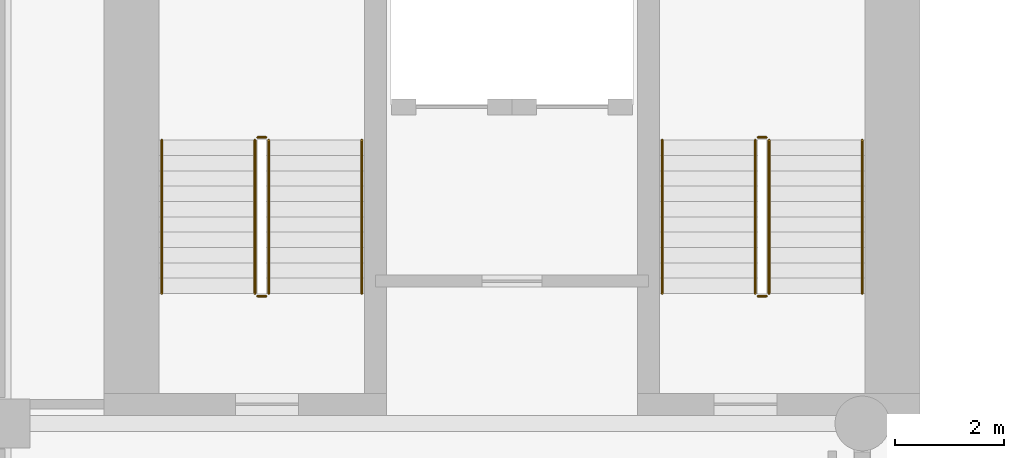
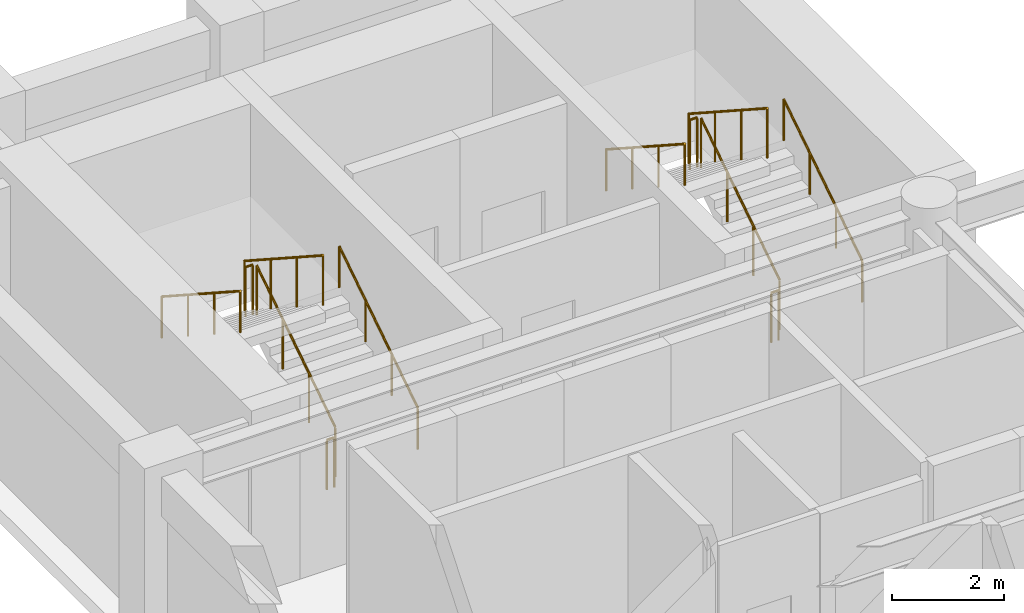
# One storey, part 10 of 12: 12 railings.
"""IFC4 building model written with IfcOpenShell, lengths in metres."""

from ifc_helpers import new_model, si_unit, direction, frame, origin, origin_2d, place, context, subcontext, project, spatial, circle, extrude, material, type_object, element, save


model = new_model("IFC4")

# Units and contexts
model_context = context("Model", 3, precision=1e-05, world=origin(), true_north=direction((0.0, 1.0)))
body_context = subcontext(model_context, "Body", "Model", "MODEL_VIEW")
ifc_project = project(units=[si_unit("LENGTHUNIT", "METRE"), si_unit("AREAUNIT", "SQUARE_METRE"), si_unit("VOLUMEUNIT", "CUBIC_METRE"), si_unit("PLANEANGLEUNIT", "RADIAN"), si_unit("MASSUNIT", "GRAM", prefix="KILO")], contexts=[model_context])

# Site, building, storey
site_placement = place(None, origin())
site = spatial("IfcSite", under=ifc_project, at=site_placement, CompositionType="ELEMENT")
building_placement = place(site_placement, origin())
building = spatial("IfcBuilding", under=site, at=building_placement, Name="Sulina Concourse Tower", CompositionType="ELEMENT")
storey_placement = place(building_placement, frame((0.0, 0.0, 38.60009765625)))
storey = spatial("IfcBuildingStorey", under=building, at=storey_placement, Name="L09", CompositionType="ELEMENT", Elevation=38.60009765625)

# Railings
ifc_material_1 = material(Name="Galvanised steel railing", Category="steel")
railing_type_1 = type_object("IfcRailingType", Name="Core Stair Steel Guardrail 1150mm", PredefinedType="GUARDRAIL", material=ifc_material_1)
railing_1_placement = place(storey_placement, frame((5.554931640625, 36.375, 0.181640625)))
element("IfcRailing", 1, at=railing_1_placement, inside=storey, type_object=railing_type_1, Name="L09 ST-1 stair guard 1", PredefinedType="GUARDRAIL", context=body_context, shape_type="SweptSolid", body=[
    extrude(circle(Radius=0.02392578125, at=origin_2d()), frame((0.0, 0.0, 1.076171875), z_axis=(0.0, 0.838672427954, 0.544636170843), x_axis=(-1.0, 0.0, 0.0)), (0.0, 0.0, 1.0), 3.338623046875),
    extrude(circle(Radius=0.02099609375, at=origin_2d()), origin(), (0.0, 0.0, 1.0), 1.052001953125),
    extrude(circle(Radius=0.02099609375, at=origin_2d()), frame((0.0, 0.933349609375, 0.606201171875)), (0.0, 0.0, 1.0), 1.052001953125),
    extrude(circle(Radius=0.02099609375, at=origin_2d()), frame((0.0, 1.86669921875, 1.212158203125)), (0.0, 0.0, 1.0), 1.052001953125),
    extrude(circle(Radius=0.02099609375, at=origin_2d()), frame((0.0, 2.800048828125, 1.818359375)), (0.0, 0.0, 1.0), 1.052001953125),
])
railing_2_placement = place(storey_placement, frame((5.5048828125, 39.22509765625, 2.0)))
element("IfcRailing", 2, at=railing_2_placement, inside=storey, type_object=railing_type_1, Name="L09 ST-1 stair guard 2", PredefinedType="GUARDRAIL", context=body_context, shape_type="SweptSolid", body=[
    extrude(circle(Radius=0.02392578125, at=origin_2d()), frame((0.0, 0.0, 1.076171875), z_axis=(-1.0, 0.0, 0.0), x_axis=(0.0, -1.0, 0.0)), (0.0, 0.0, 1.0), 0.14990234375),
    extrude(circle(Radius=0.02099609375, at=origin_2d()), origin(), (0.0, 0.0, 1.0), 1.052001953125),
    extrude(circle(Radius=0.02099609375, at=origin_2d()), frame((-0.14990234375, 0.0, 0.0)), (0.0, 0.0, 1.0), 1.052001953125),
])
railing_3_placement = place(storey_placement, frame((5.304931640625, 39.175048828125, 2.181640625)))
element("IfcRailing", 3, at=railing_3_placement, inside=storey, type_object=railing_type_1, Name="L09 ST-1 stair guard 3", PredefinedType="GUARDRAIL", context=body_context, shape_type="SweptSolid", body=[
    extrude(circle(Radius=0.02392578125, at=origin_2d()), frame((0.0, 0.0, 1.076171875), z_axis=(0.0, -0.838672427954, 0.544636170843), x_axis=(1.0, 0.0, 0.0)), (0.0, 0.0, 1.0), 3.338623046875),
    extrude(circle(Radius=0.02099609375, at=origin_2d()), origin(), (0.0, 0.0, 1.0), 1.052001953125),
    extrude(circle(Radius=0.02099609375, at=origin_2d()), frame((0.0, -0.933349609375, 0.606201171875)), (0.0, 0.0, 1.0), 1.052001953125),
    extrude(circle(Radius=0.02099609375, at=origin_2d()), frame((0.0, -1.86669921875, 1.212158203125)), (0.0, 0.0, 1.0), 1.052001953125),
    extrude(circle(Radius=0.02099609375, at=origin_2d()), frame((0.0, -2.800048828125, 1.818359375)), (0.0, 0.0, 1.0), 1.052001953125),
])
railing_4_placement = place(storey_placement, frame((5.5048828125, 36.324951171875, 0.0)))
element("IfcRailing", 4, at=railing_4_placement, inside=storey, type_object=railing_type_1, Name="L09 ST-1 stair guard 4", PredefinedType="GUARDRAIL", context=body_context, shape_type="SweptSolid", body=[
    extrude(circle(Radius=0.02392578125, at=origin_2d()), frame((0.0, 0.0, 1.076171875), z_axis=(-1.0, 0.0, 0.0), x_axis=(0.0, -1.0, 0.0)), (0.0, 0.0, 1.0), 0.14990234375),
    extrude(circle(Radius=0.02099609375, at=origin_2d()), origin(), (0.0, 0.0, 1.0), 1.052001953125),
    extrude(circle(Radius=0.02099609375, at=origin_2d()), frame((-0.14990234375, 0.0, 0.0)), (0.0, 0.0, 1.0), 1.052001953125),
])
railing_5_placement = place(storey_placement, frame((14.695068359375, 36.375, 0.181640625)))
element("IfcRailing", 5, at=railing_5_placement, inside=storey, type_object=railing_type_1, Name="L09 ST-2 stair guard 1", PredefinedType="GUARDRAIL", context=body_context, shape_type="SweptSolid", body=[
    extrude(circle(Radius=0.02392578125, at=origin_2d()), frame((0.0, 0.0, 1.076171875), z_axis=(0.0, 0.838672427954, 0.544636170843), x_axis=(-1.0, 0.0, 0.0)), (0.0, 0.0, 1.0), 3.338623046875),
    extrude(circle(Radius=0.02099609375, at=origin_2d()), origin(), (0.0, 0.0, 1.0), 1.052001953125),
    extrude(circle(Radius=0.02099609375, at=origin_2d()), frame((0.0, 0.933349609375, 0.606201171875)), (0.0, 0.0, 1.0), 1.052001953125),
    extrude(circle(Radius=0.02099609375, at=origin_2d()), frame((0.0, 1.86669921875, 1.212158203125)), (0.0, 0.0, 1.0), 1.052001953125),
    extrude(circle(Radius=0.02099609375, at=origin_2d()), frame((0.0, 2.800048828125, 1.818359375)), (0.0, 0.0, 1.0), 1.052001953125),
])
railing_6_placement = place(storey_placement, frame((14.64501953125, 39.22509765625, 2.0)))
element("IfcRailing", 6, at=railing_6_placement, inside=storey, type_object=railing_type_1, Name="L09 ST-2 stair guard 2", PredefinedType="GUARDRAIL", context=body_context, shape_type="SweptSolid", body=[
    extrude(circle(Radius=0.02392578125, at=origin_2d()), frame((0.0, 0.0, 1.076171875), z_axis=(-1.0, 0.0, 0.0), x_axis=(0.0, -1.0, 0.0)), (0.0, 0.0, 1.0), 0.14990234375),
    extrude(circle(Radius=0.02099609375, at=origin_2d()), origin(), (0.0, 0.0, 1.0), 1.052001953125),
    extrude(circle(Radius=0.02099609375, at=origin_2d()), frame((-0.14990234375, 0.0, 0.0)), (0.0, 0.0, 1.0), 1.052001953125),
])
railing_7_placement = place(storey_placement, frame((14.445068359375, 39.175048828125, 2.181640625)))
element("IfcRailing", 7, at=railing_7_placement, inside=storey, type_object=railing_type_1, Name="L09 ST-2 stair guard 3", PredefinedType="GUARDRAIL", context=body_context, shape_type="SweptSolid", body=[
    extrude(circle(Radius=0.02392578125, at=origin_2d()), frame((0.0, 0.0, 1.076171875), z_axis=(0.0, -0.838672427954, 0.544636170843), x_axis=(1.0, 0.0, 0.0)), (0.0, 0.0, 1.0), 3.338623046875),
    extrude(circle(Radius=0.02099609375, at=origin_2d()), origin(), (0.0, 0.0, 1.0), 1.052001953125),
    extrude(circle(Radius=0.02099609375, at=origin_2d()), frame((0.0, -0.933349609375, 0.606201171875)), (0.0, 0.0, 1.0), 1.052001953125),
    extrude(circle(Radius=0.02099609375, at=origin_2d()), frame((0.0, -1.86669921875, 1.212158203125)), (0.0, 0.0, 1.0), 1.052001953125),
    extrude(circle(Radius=0.02099609375, at=origin_2d()), frame((0.0, -2.800048828125, 1.818359375)), (0.0, 0.0, 1.0), 1.052001953125),
])
railing_8_placement = place(storey_placement, frame((14.64501953125, 36.324951171875, 0.0)))
element("IfcRailing", 8, at=railing_8_placement, inside=storey, type_object=railing_type_1, Name="L09 ST-2 stair guard 4", PredefinedType="GUARDRAIL", context=body_context, shape_type="SweptSolid", body=[
    extrude(circle(Radius=0.02392578125, at=origin_2d()), frame((0.0, 0.0, 1.076171875), z_axis=(-1.0, 0.0, 0.0), x_axis=(0.0, -1.0, 0.0)), (0.0, 0.0, 1.0), 0.14990234375),
    extrude(circle(Radius=0.02099609375, at=origin_2d()), origin(), (0.0, 0.0, 1.0), 1.052001953125),
    extrude(circle(Radius=0.02099609375, at=origin_2d()), frame((-0.14990234375, 0.0, 0.0)), (0.0, 0.0, 1.0), 1.052001953125),
])
ifc_material_2 = material(Name="Galvanised steel railing", Category="steel")
railing_type_2 = type_object("IfcRailingType", Name="Stair Wall Steel Handrail 920mm", PredefinedType="HANDRAIL", material=ifc_material_2)
railing_9_placement = place(storey_placement, frame((7.2548828125, 36.375, 0.181640625)))
element("IfcRailing", 9, at=railing_9_placement, inside=storey, type_object=railing_type_2, Name="L09 ST-1 stair handrail 1", PredefinedType="HANDRAIL", context=body_context, shape_type="SweptSolid", body=[
    extrude(circle(Radius=0.02392578125, at=origin_2d()), frame((0.0, 0.0, 0.89599609375), z_axis=(0.0, 0.838672427954, 0.544636170843), x_axis=(-1.0, 0.0, 0.0)), (0.0, 0.0, 1.0), 3.338623046875),
    extrude(circle(Radius=0.02099609375, at=origin_2d()), origin(), (0.0, 0.0, 1.0), 0.871826171875),
    extrude(circle(Radius=0.02099609375, at=origin_2d()), frame((0.0, 0.933349609375, 0.606201171875)), (0.0, 0.0, 1.0), 0.871826171875),
    extrude(circle(Radius=0.02099609375, at=origin_2d()), frame((0.0, 1.86669921875, 1.212158203125)), (0.0, 0.0, 1.0), 0.871826171875),
    extrude(circle(Radius=0.02099609375, at=origin_2d()), frame((0.0, 2.800048828125, 1.818359375)), (0.0, 0.0, 1.0), 0.871826171875),
])
railing_10_placement = place(storey_placement, frame((3.60498046875, 39.175048828125, 2.181640625)))
element("IfcRailing", 10, at=railing_10_placement, inside=storey, type_object=railing_type_2, Name="L09 ST-1 stair handrail 2", PredefinedType="HANDRAIL", context=body_context, shape_type="SweptSolid", body=[
    extrude(circle(Radius=0.02392578125, at=origin_2d()), frame((0.0, 0.0, 0.89599609375), z_axis=(0.0, -0.838672427954, 0.544636170843), x_axis=(1.0, 0.0, 0.0)), (0.0, 0.0, 1.0), 3.338623046875),
    extrude(circle(Radius=0.02099609375, at=origin_2d()), origin(), (0.0, 0.0, 1.0), 0.871826171875),
    extrude(circle(Radius=0.02099609375, at=origin_2d()), frame((0.0, -0.933349609375, 0.606201171875)), (0.0, 0.0, 1.0), 0.871826171875),
    extrude(circle(Radius=0.02099609375, at=origin_2d()), frame((0.0, -1.86669921875, 1.212158203125)), (0.0, 0.0, 1.0), 0.871826171875),
    extrude(circle(Radius=0.02099609375, at=origin_2d()), frame((0.0, -2.800048828125, 1.818359375)), (0.0, 0.0, 1.0), 0.871826171875),
])
railing_11_placement = place(storey_placement, frame((16.39501953125, 36.375, 0.181640625)))
element("IfcRailing", 11, at=railing_11_placement, inside=storey, type_object=railing_type_2, Name="L09 ST-2 stair handrail 1", PredefinedType="HANDRAIL", context=body_context, shape_type="SweptSolid", body=[
    extrude(circle(Radius=0.02392578125, at=origin_2d()), frame((0.0, 0.0, 0.89599609375), z_axis=(0.0, 0.838672427954, 0.544636170843), x_axis=(-1.0, 0.0, 0.0)), (0.0, 0.0, 1.0), 3.338623046875),
    extrude(circle(Radius=0.02099609375, at=origin_2d()), origin(), (0.0, 0.0, 1.0), 0.871826171875),
    extrude(circle(Radius=0.02099609375, at=origin_2d()), frame((0.0, 0.933349609375, 0.606201171875)), (0.0, 0.0, 1.0), 0.871826171875),
    extrude(circle(Radius=0.02099609375, at=origin_2d()), frame((0.0, 1.86669921875, 1.212158203125)), (0.0, 0.0, 1.0), 0.871826171875),
    extrude(circle(Radius=0.02099609375, at=origin_2d()), frame((0.0, 2.800048828125, 1.818359375)), (0.0, 0.0, 1.0), 0.871826171875),
])
railing_12_placement = place(storey_placement, frame((12.7451171875, 39.175048828125, 2.181640625)))
element("IfcRailing", 12, at=railing_12_placement, inside=storey, type_object=railing_type_2, Name="L09 ST-2 stair handrail 2", PredefinedType="HANDRAIL", context=body_context, shape_type="SweptSolid", body=[
    extrude(circle(Radius=0.02392578125, at=origin_2d()), frame((0.0, 0.0, 0.89599609375), z_axis=(0.0, -0.838672427954, 0.544636170843), x_axis=(1.0, 0.0, 0.0)), (0.0, 0.0, 1.0), 3.338623046875),
    extrude(circle(Radius=0.02099609375, at=origin_2d()), origin(), (0.0, 0.0, 1.0), 0.871826171875),
    extrude(circle(Radius=0.02099609375, at=origin_2d()), frame((0.0, -0.933349609375, 0.606201171875)), (0.0, 0.0, 1.0), 0.871826171875),
    extrude(circle(Radius=0.02099609375, at=origin_2d()), frame((0.0, -1.86669921875, 1.212158203125)), (0.0, 0.0, 1.0), 0.871826171875),
    extrude(circle(Radius=0.02099609375, at=origin_2d()), frame((0.0, -2.800048828125, 1.818359375)), (0.0, 0.0, 1.0), 0.871826171875),
])

save(model, "model.ifc")
